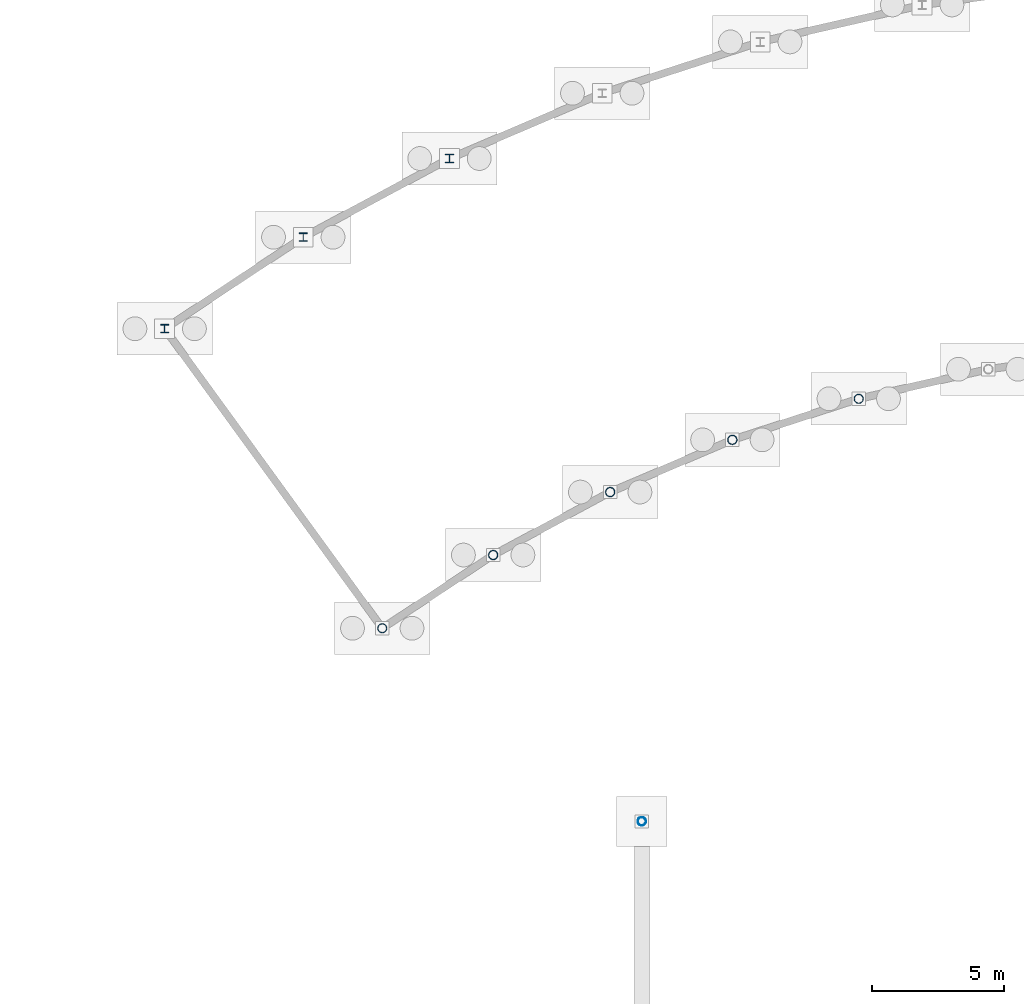
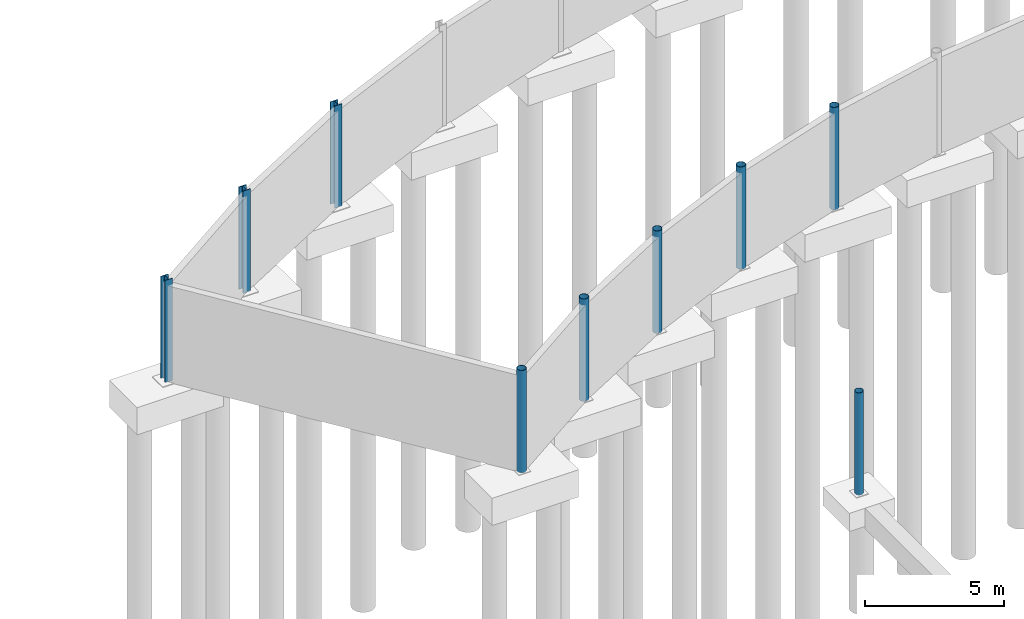
# One storey, part 17 of 41: 9 columns.
"""IFC4 building model written with IfcOpenShell, lengths in metres."""

from ifc_helpers import new_model, si_unit, direction, frame, origin, origin_2d, place, context, subcontext, project, spatial, hollow_circle, i_section, extrude, material, material_profile, profile_set, type_object, element, save


model = new_model("IFC4")

# Units and contexts
model_context = context("Model", 3, precision=1e-05, world=origin(), true_north=direction((0.0, 1.0)))
body_context = subcontext(model_context, "Body", "Model", "MODEL_VIEW")
ifc_project = project(units=[si_unit("LENGTHUNIT", "METRE"), si_unit("AREAUNIT", "SQUARE_METRE"), si_unit("VOLUMEUNIT", "CUBIC_METRE"), si_unit("PLANEANGLEUNIT", "RADIAN"), si_unit("MASSUNIT", "GRAM", prefix="KILO")], contexts=[model_context])

# Site, building, storey
site_placement = place(None, origin())
site = spatial("IfcSite", under=ifc_project, at=site_placement, CompositionType="ELEMENT")
building_placement = place(site_placement, origin())
building = spatial("IfcBuilding", under=site, at=building_placement, Name="Selat Folded Stagehouse", CompositionType="ELEMENT")
storey_placement = place(building_placement, frame((0.0, 0.0, -4.5)))
storey = spatial("IfcBuildingStorey", under=building, at=storey_placement, Name="B1", CompositionType="ELEMENT", Elevation=-4.5)

# Columns
ifc_material = material(Name="Steel S355", Category="steel")
ifc_material_profile_1 = material_profile(ifc_material, hollow_circle(Radius=0.161865234375, WallThickness=0.012451171875, at=origin_2d()), Name="CHS 323.9x12.5")
ifc_profile_set_1 = profile_set([ifc_material_profile_1], Name="Steel S355")
column_type_1 = type_object("IfcColumnType", Name="COL-CHS-323x12.5", PredefinedType="COLUMN", material=ifc_profile_set_1)
column_placement = place(storey_placement, frame((69.300048828125, 76.0, 0.0), z_axis=(0.0, 0.0, 1.0), x_axis=(1.0, 0.0, 0.0)))
element("IfcColumn", 1, at=column_placement, inside=storey, type_object=column_type_1, Name="B1 column STK-BR1-760", PredefinedType="COLUMN", context=body_context, shape_type="SweptSolid", body=[
    extrude(hollow_circle(Radius=0.161865234375, WallThickness=0.012451171875, at=origin_2d()), origin(), (0.0, 0.0, 1.0), 4.5),
])
ifc_material_profile_2 = material_profile(ifc_material, hollow_circle(Radius=0.177734375, WallThickness=0.01611328125, at=origin_2d()), Name="CHS 355.6x16.0")
ifc_profile_set_2 = profile_set([ifc_material_profile_2], Name="Steel S355")
column_type_2 = type_object("IfcColumnType", Name="COL-CHS-355x16", PredefinedType="COLUMN", material=ifc_profile_set_2)
for number, where, z_axis, x_axis, name in (
    (2, (59.48388671875, 83.304931640625, 0.0), (0.0, 0.0, 1.0), (1.0, 0.0, 0.0), "B1 column STK-V6IN-00"),
    (3, (63.677490234375, 86.072998046875, 0.0), (0.0, 0.0, 1.0), (1.0, 0.0, 0.0), "B1 column STK-V6IN-01"),
    (4, (68.1025390625, 88.454345703125, 0.0), (0.0, 0.0, 1.0), (1.0, 0.0, 0.0), "B1 column STK-V6IN-02"),
    (5, (72.722900390625, 90.42919921875, 0.0), (0.0, 0.0, 1.0), (1.0, 0.0, 0.0), "B1 column STK-V6IN-03"),
    (6, (77.501953125, 91.98193359375, 0.0), (0.0, 0.0, 1.0), (1.0, 0.0, 0.0), "B1 column STK-V6IN-04"),
):
    element("IfcColumn", number, at=place(storey_placement, frame(where, z_axis=z_axis, x_axis=x_axis)), inside=storey, type_object=column_type_2, Name=name, PredefinedType="COLUMN", context=body_context, shape_type="SweptSolid", body=[
        extrude(hollow_circle(Radius=0.177734375, WallThickness=0.01611328125, at=origin_2d()), origin(), (0.0, 0.0, 1.0), 4.5),
    ])
ifc_material_profile_3 = material_profile(ifc_material, i_section(OverallWidth=0.30908203125, OverallDepth=0.320556640625, WebThickness=0.013916015625, FlangeThickness=0.021728515625, FilletRadius=0.01513671875, at=origin_2d()), Name="UKC 305x305x137")
ifc_profile_set_3 = profile_set([ifc_material_profile_3], Name="Steel S355")
column_type_3 = type_object("IfcColumnType", Name="COL-UKC-305x305x137", PredefinedType="COLUMN", material=ifc_profile_set_3)
for number, where, z_axis, x_axis, name in (
    (7, (51.2548828125, 94.631103515625, 0.0), (0.0, 0.0, 1.0), (1.0, 0.0, 0.0), "B1 column STK-V6OUT-00"),
    (8, (56.4970703125, 98.09130859375, 0.0), (0.0, 0.0, 1.0), (1.0, 0.0, 0.0), "B1 column STK-V6OUT-01"),
    (9, (62.028076171875, 101.06787109375, 0.0), (0.0, 0.0, 1.0), (1.0, 0.0, 0.0), "B1 column STK-V6OUT-02"),
):
    element("IfcColumn", number, at=place(storey_placement, frame(where, z_axis=z_axis, x_axis=x_axis)), inside=storey, type_object=column_type_3, Name=name, PredefinedType="COLUMN", context=body_context, shape_type="SweptSolid", body=[
        extrude(i_section(OverallWidth=0.30908203125, OverallDepth=0.320556640625, WebThickness=0.013916015625, FlangeThickness=0.021728515625, FilletRadius=0.01513671875, at=origin_2d()), origin(), (0.0, 0.0, 1.0), 4.5),
    ])

save(model, "model.ifc")
